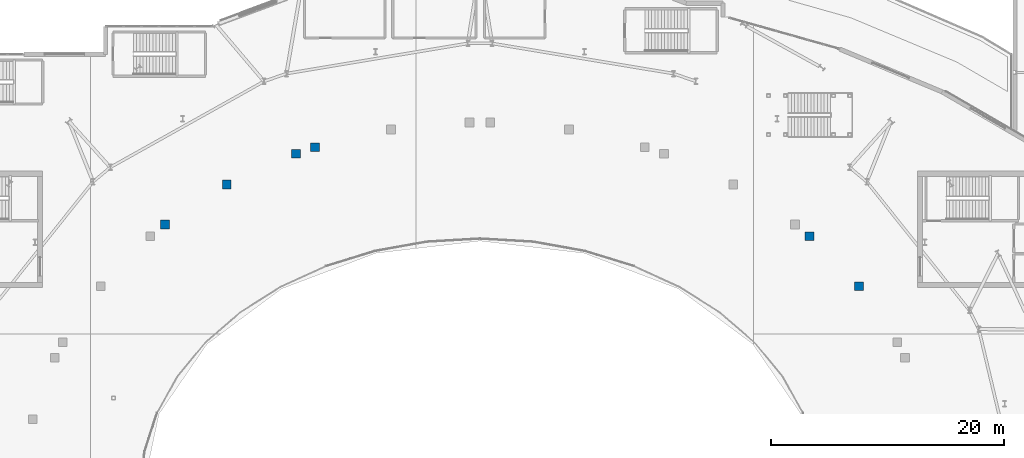
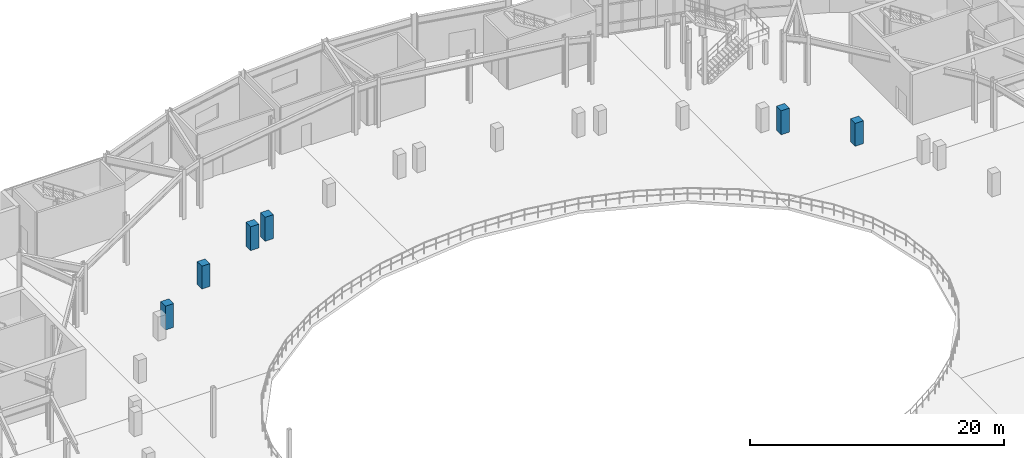
# One storey, part 12 of 84: 6 columns.
"""IFC4 building model written with IfcOpenShell, lengths in metres."""

from ifc_helpers import new_model, si_unit, direction, frame, origin, origin_2d, place, context, subcontext, project, spatial, rectangle, extrude, material, material_profile, profile_set, type_object, element, save


model = new_model("IFC4")

# Units and contexts
model_context = context("Model", 3, precision=1e-05, world=origin(), true_north=direction((0.0, 1.0)))
body_context = subcontext(model_context, "Body", "Model", "MODEL_VIEW")
ifc_project = project(units=[si_unit("LENGTHUNIT", "METRE"), si_unit("AREAUNIT", "SQUARE_METRE"), si_unit("VOLUMEUNIT", "CUBIC_METRE"), si_unit("PLANEANGLEUNIT", "RADIAN"), si_unit("MASSUNIT", "GRAM", prefix="KILO")], contexts=[model_context])

# Site, building, storey
site_placement = place(None, origin())
site = spatial("IfcSite", under=ifc_project, at=site_placement, CompositionType="ELEMENT")
building_placement = place(site_placement, origin())
building = spatial("IfcBuilding", under=site, at=building_placement, Name="Glasvene Arena", CompositionType="ELEMENT")
storey_placement = place(building_placement, frame((0.0, 0.0, 10.199951171875)))
storey = spatial("IfcBuildingStorey", under=building, at=storey_placement, Name="L02", CompositionType="ELEMENT", Elevation=10.199951171875)

# Columns
ifc_material = material(Name="Concrete C40/50", Category="concrete")
ifc_material_profile = material_profile(ifc_material, rectangle(XDim=0.75, YDim=0.75, at=origin_2d()), Name="RC 750x750")
ifc_profile_set = profile_set([ifc_material_profile], Name="Concrete C40/50")
column_type = type_object("IfcColumnType", Name="COL-MID-RC750", PredefinedType="COLUMN", material=ifc_profile_set)
for number, where, z_axis, x_axis, name in (
    (1, (120.34033203125, 94.90087890625, 0.0), (0.0, 0.0, 1.0), (1.0, 0.0, 0.0), "Mid-bowl fulcrum column L02 02-2"),
    (2, (77.82421875, 102.5546875, 0.0), (0.0, 0.0, 1.0), (1.0, 0.0, 0.0), "Mid-bowl fulcrum column L02 05-2"),
    (3, (76.180908203125, 102.004150390625, 0.0), (0.0, 0.0, 1.0), (1.0, 0.0, 0.0), "Mid-bowl fulcrum column L02 06-1"),
    (4, (64.91748046875, 95.918212890625, 0.0), (0.0, 0.0, 1.0), (1.0, 0.0, 0.0), "Mid-bowl fulcrum column L02 06-2"),
):
    element("IfcColumn", number, at=place(storey_placement, frame(where, z_axis=z_axis, x_axis=x_axis)), inside=storey, type_object=column_type, Name=name, PredefinedType="COLUMN", context=body_context, shape_type="SweptSolid", body=[
        extrude(rectangle(XDim=0.75, YDim=0.75, at=origin_2d()), origin(), (0.0, 0.0, 1.0), 2.300048828125),
    ])
for number, where, z_axis, x_axis, name in (
    (5, (124.593505859375, 90.611572265625, 0.0), (0.0, 0.0, 1.0), (1.0, 0.0, 0.0), "Mid-sector fulcrum column L02 02"),
    (6, (70.2216796875, 99.357666015625, 0.0), (0.0, 0.0, 1.0), (1.0, 0.0, 0.0), "Mid-sector fulcrum column L02 06"),
):
    element("IfcColumn", number, at=place(storey_placement, frame(where, z_axis=z_axis, x_axis=x_axis)), inside=storey, type_object=column_type, Name=name, PredefinedType="COLUMN", context=body_context, shape_type="SweptSolid", body=[
        extrude(rectangle(XDim=0.75, YDim=0.75, at=origin_2d()), origin(), (0.0, 0.0, 1.0), 2.199951171875),
    ])

save(model, "model.ifc")
